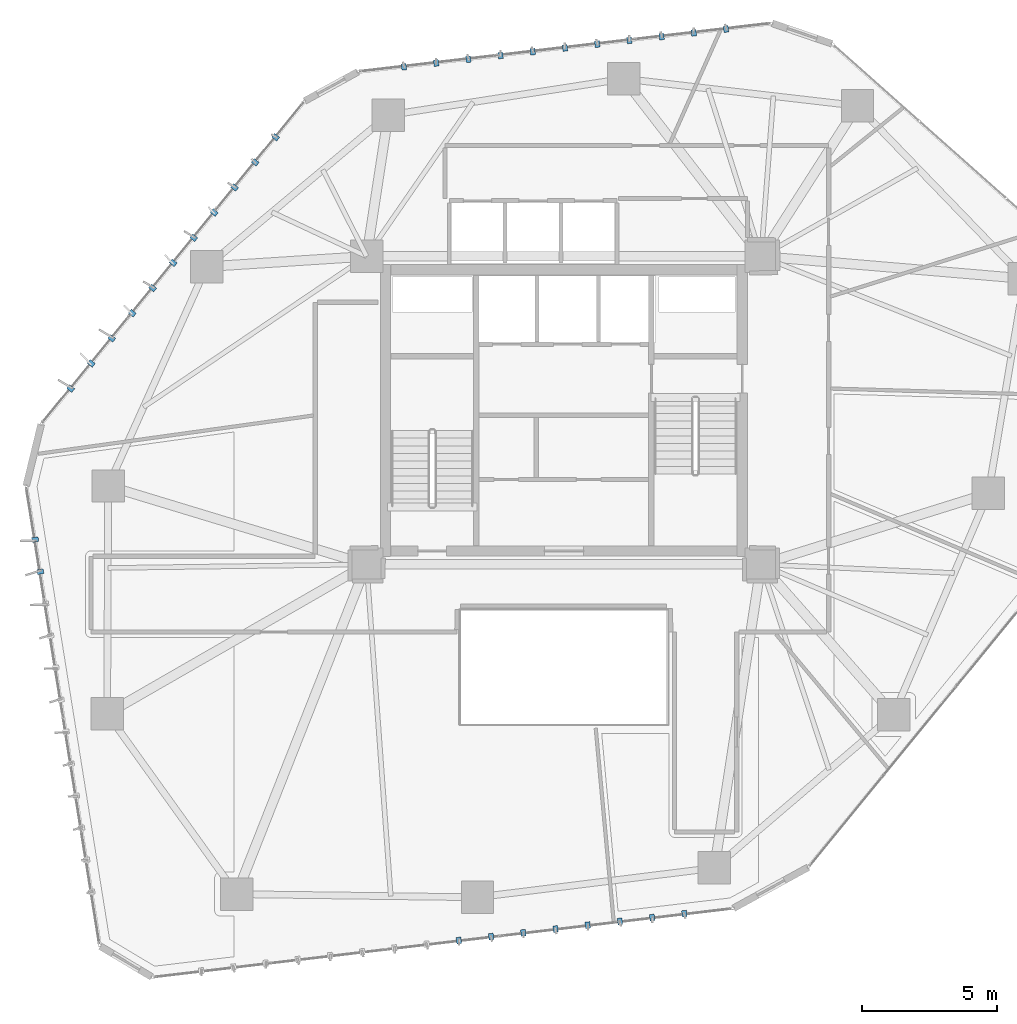
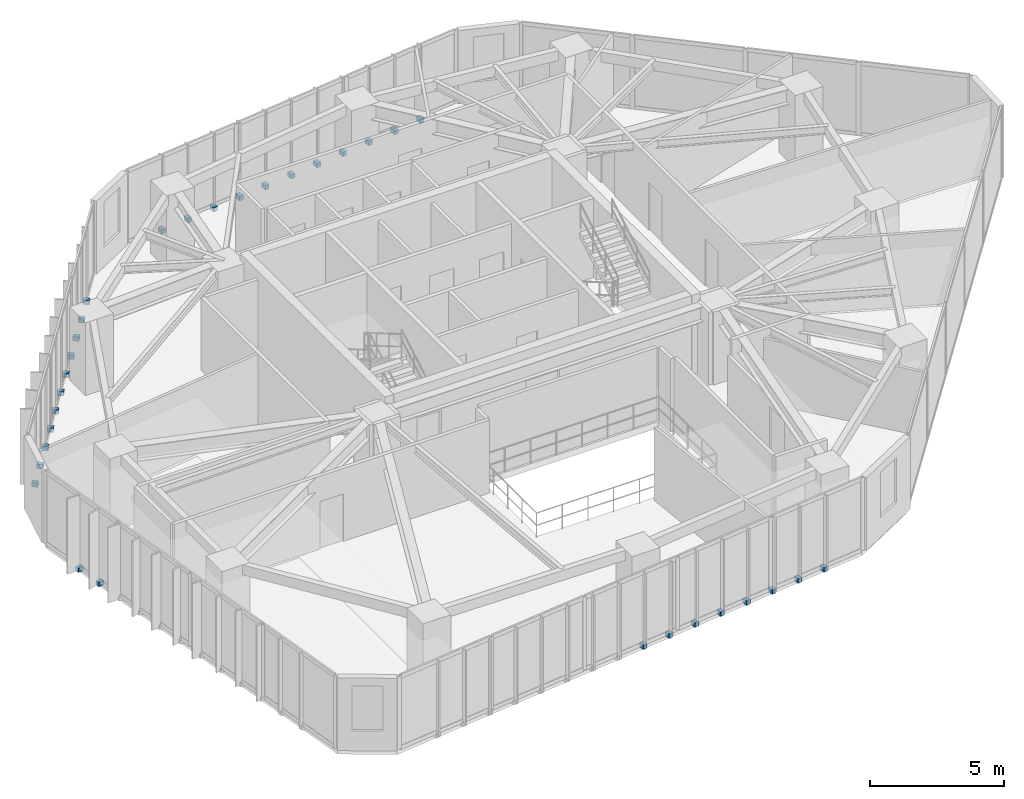
# One storey, part 21 of 24: 32 discrete accessories.
"""IFC4 building model written with IfcOpenShell, lengths in metres."""

import ifcopenshell
import ifcopenshell.guid

model = None  # the IFC model being written
_history = None  # IfcOwnerHistory: only IFC2X3 demands one
_inside = {}  # id of a spatial element -> (the spatial element, [elements in it])
_under = {}  # id of a project, library or spatial element -> (it, [spatial elements below it])
_declared = {}  # id of a project -> (the project, [libraries it declares])
_typed = {}  # id of a type object -> (the type object, [elements of that type])
_made_of = {}  # id of a material, layer set ... -> (it, [elements and type objects made of it])


def new_model(schema):
    """Start an empty IFC model of exactly this schema.

    Asked for "IFC4X3", IfcOpenShell would pick the latest addendum, in which some entities
    have other attributes; the version numbers below select the first issue.
    IFC2X3 requires an IfcOwnerHistory on every rooted entity: one is made here for all.
    """
    global model, _history
    if schema == "IFC4X3":
        model = ifcopenshell.file(schema_version=(4, 3, 0, 0))
    else:
        model = ifcopenshell.file(schema=schema)
    _inside.clear()
    _under.clear()
    _declared.clear()
    _typed.clear()
    _made_of.clear()
    _history = None
    if model.schema == "IFC2X3":
        org = make("IfcOrganization", Name="unknown")
        user = make(
            "IfcPersonAndOrganization",
            ThePerson=make("IfcPerson", FamilyName="unknown"),
            TheOrganization=org,
        )
        app = make(
            "IfcApplication",
            ApplicationDeveloper=org,
            Version="unknown",
            ApplicationFullName="unknown",
            ApplicationIdentifier="unknown",
        )
        _history = make(
            "IfcOwnerHistory",
            OwningUser=user,
            OwningApplication=app,
            ChangeAction="ADDED",
            CreationDate=0,
        )
    return model


def make(cls, **values):
    """One entity of the class cls with the attributes given. An attribute that is None is left unset."""
    return model.create_entity(
        cls, **{name: value for name, value in values.items() if value is not None}
    )


def rooted(cls, **values):
    """An entity with a GlobalId (a new one), such as an element, a storey or a relation."""
    return make(cls, GlobalId=ifcopenshell.guid.new(), OwnerHistory=_history, **values)


def si_unit(unit_type, name, prefix=None):
    """IfcSIUnit, for example si_unit("LENGTHUNIT", "METRE", prefix="MILLI")."""
    return make("IfcSIUnit", UnitType=unit_type, Prefix=prefix, Name=name)


def assignment(units):
    """IfcUnitAssignment: the units of a project."""
    return None if units is None else make("IfcUnitAssignment", Units=units)


def point(xyz):
    """IfcCartesianPoint."""
    return None if xyz is None else make("IfcCartesianPoint", Coordinates=xyz)


def direction(xyz):
    """IfcDirection."""
    return None if xyz is None else make("IfcDirection", DirectionRatios=xyz)


def frame(location, z_axis=None, x_axis=None):
    """IfcAxis2Placement3D, a coordinate frame: its origin and axes. An axis left out is left unset."""
    return make(
        "IfcAxis2Placement3D",
        Location=point(location),
        Axis=direction(z_axis),
        RefDirection=direction(x_axis),
    )


def frame_2d(location, x_axis=None):
    """IfcAxis2Placement2D, a coordinate frame in the plane: its origin and x axis."""
    return make(
        "IfcAxis2Placement2D", Location=point(location), RefDirection=direction(x_axis)
    )


def origin():
    """The frame at (0, 0, 0) with its axes left unset."""
    return frame((0.0, 0.0, 0.0))


def origin_2d():
    """The frame at (0, 0) in the plane with its x axis left unset."""
    return frame_2d((0.0, 0.0))


def place(relative_to, where):
    """IfcLocalPlacement: puts the frame where relative to a parent placement (None: the world)."""
    return make(
        "IfcLocalPlacement", PlacementRelTo=relative_to, RelativePlacement=where
    )


def context(
    kind, dimensions, precision=None, world=None, true_north=None, identifier=None
):
    """IfcGeometricRepresentationContext, for example the 3D "Model" context."""
    return make(
        "IfcGeometricRepresentationContext",
        ContextIdentifier=identifier,
        ContextType=kind,
        CoordinateSpaceDimension=dimensions,
        Precision=precision,
        WorldCoordinateSystem=world,
        TrueNorth=true_north,
    )


def subcontext(parent, identifier, kind, view, scale=None):
    """IfcGeometricRepresentationSubContext, for example "Body" below "Model"."""
    return make(
        "IfcGeometricRepresentationSubContext",
        ContextIdentifier=identifier,
        ContextType=kind,
        ParentContext=parent,
        TargetScale=scale,
        TargetView=view,
    )


def project(units=None, contexts=None):
    """IfcProject with its units and contexts."""
    return rooted(
        "IfcProject",
        Name="project",
        RepresentationContexts=contexts,
        UnitsInContext=assignment(units),
    )


def spatial(cls, under=None, at=None, **own):
    """A site, building, storey or space (cls), placed at a placement, below another one or the project."""
    s = rooted(cls, ObjectPlacement=at, **own)
    if under is not None:
        _under.setdefault(under.id(), (under, []))[1].append(s)
    return s


def profile(cls, at=None, kind="AREA", **sizes):
    """A parametric profile (cls). Its sizes go by their IFC names, for example OverallWidth=200.0."""
    return make(cls, ProfileType=kind, Position=at, **sizes)


def rectangle(**sizes):
    """IfcRectangleProfileDef."""
    return profile("IfcRectangleProfileDef", **sizes)


def extrude(swept, where, along, depth):
    """IfcExtrudedAreaSolid: the profile swept, set in the frame where, extruded along a direction by depth."""
    return make(
        "IfcExtrudedAreaSolid",
        SweptArea=swept,
        Position=where,
        ExtrudedDirection=direction(along),
        Depth=depth,
    )


def shape(context_of_items, identifier, shape_type, items):
    """IfcShapeRepresentation: the items that make up one representation, for example the "Body"."""
    return make(
        "IfcShapeRepresentation",
        ContextOfItems=context_of_items,
        RepresentationIdentifier=identifier,
        RepresentationType=shape_type,
        Items=items,
    )


def source(mapping_origin, context_of_items, identifier, shape_type, items):
    """IfcRepresentationMap: a shape defined once, which mapped items show again and again."""
    return make(
        "IfcRepresentationMap",
        MappingOrigin=mapping_origin,
        MappedRepresentation=shape(context_of_items, identifier, shape_type, items),
    )


def transform(
    local_origin,
    x_axis=None,
    y_axis=None,
    z_axis=None,
    scale=None,
    scale2=None,
    scale3=None,
    uniform=True,
):
    """IfcCartesianTransformationOperator3D, or its non-uniform kind. x_axis, y_axis, z_axis: its Axis1, 2, 3."""
    if uniform:
        return make(
            "IfcCartesianTransformationOperator3D",
            Axis1=direction(x_axis),
            Axis2=direction(y_axis),
            LocalOrigin=point(local_origin),
            Scale=scale,
            Axis3=direction(z_axis),
        )
    return make(
        "IfcCartesianTransformationOperator3DnonUniform",
        Axis1=direction(x_axis),
        Axis2=direction(y_axis),
        LocalOrigin=point(local_origin),
        Scale=scale,
        Axis3=direction(z_axis),
        Scale2=scale2,
        Scale3=scale3,
    )


def mapped(mapping_source, mapping_target):
    """IfcMappedItem: shows the shape of a source again, moved by a transform."""
    return make(
        "IfcMappedItem", MappingSource=mapping_source, MappingTarget=mapping_target
    )


def material(Name=None, Category=None):
    """IfcMaterial."""
    return make("IfcMaterial", Name=Name, Category=Category)


def made_of(thing, what):
    """Note that an element or type object is made of a material, layer set ...; save() writes the relation."""
    if what is not None:
        _made_of.setdefault(what.id(), (what, []))[1].append(thing)
    return thing


def type_object(cls, material=None, **own):
    """A type object (cls), such as IfcWallType, which elements share."""
    return made_of(rooted(cls, **own), material)


def type_shapes(of_type, sources):
    """Give a type object the sources (RepresentationMaps) that its elements show as mapped items."""
    of_type.RepresentationMaps = sources


def element(
    cls,
    number,
    at=None,
    inside=None,
    cuts=None,
    type_object=None,
    material=None,
    context=None,
    identifier="Body",
    shape_type=None,
    held_by="IfcProductDefinitionShape",
    body=None,
    shapes=None,
    **own,
):
    """One element of the class cls, such as IfcWall. Its Tag is "e" and its number.

    at: its placement. inside: the storey or other place that contains it. cuts: it is an
    opening in that element (IfcRelVoidsElement). A single representation is given by context,
    identifier, shape_type and body (its items); several are given by shapes. held_by: the class
    of the entity that holds the representations. save() writes the other relations.
    """
    e = rooted(cls, Tag="e%d" % number, ObjectPlacement=at, **own)
    if body is not None:
        shapes = [shape(context, identifier, shape_type, body)]
    if shapes is not None:
        e.Representation = make(held_by, Representations=shapes)
    if inside is not None:
        _inside.setdefault(inside.id(), (inside, []))[1].append(e)
    if cuts is not None:
        rooted(
            "IfcRelVoidsElement", RelatingBuildingElement=cuts, RelatedOpeningElement=e
        )
    if type_object is not None:
        _typed.setdefault(type_object.id(), (type_object, []))[1].append(e)
    return made_of(e, material)


def aggregate(whole, parts):
    """IfcRelAggregates: a whole, such as a stair, and the parts it consists of."""
    return rooted("IfcRelAggregates", RelatingObject=whole, RelatedObjects=parts)


def save(model, path):
    """Write the relations noted so far, then the file.

    IfcRelAggregates (storeys below a building ...), IfcRelContainedInSpatialStructure (elements
    in a storey), IfcRelDefinesByType, IfcRelAssociatesMaterial and IfcRelDeclares: one each for
    every whole, place, type object, material and project.
    """
    for whole, parts in _under.values():
        aggregate(whole, parts)
    for where, things in _inside.values():
        rooted(
            "IfcRelContainedInSpatialStructure",
            RelatedElements=things,
            RelatingStructure=where,
        )
    for kind, things in _typed.values():
        rooted("IfcRelDefinesByType", RelatedObjects=things, RelatingType=kind)
    for what, things in _made_of.values():
        rooted("IfcRelAssociatesMaterial", RelatedObjects=things, RelatingMaterial=what)
    for by, libraries in _declared.values():
        rooted("IfcRelDeclares", RelatingContext=by, RelatedDefinitions=libraries)
    model.write(path)


model = new_model("IFC4")

# Units and contexts
model_context = context("Model", 3, precision=1e-05, world=origin(), true_north=direction((0.0, 1.0)))
body_context = subcontext(model_context, "Body", "Model", "MODEL_VIEW")
ifc_project = project(units=[si_unit("LENGTHUNIT", "METRE"), si_unit("AREAUNIT", "SQUARE_METRE"), si_unit("VOLUMEUNIT", "CUBIC_METRE"), si_unit("PLANEANGLEUNIT", "RADIAN"), si_unit("MASSUNIT", "GRAM", prefix="KILO")], contexts=[model_context])

# Site, building, storey
site_placement = place(None, origin())
site = spatial("IfcSite", under=ifc_project, at=site_placement, CompositionType="ELEMENT")
building_placement = place(site_placement, origin())
building = spatial("IfcBuilding", under=site, at=building_placement, Name="Talar Marvaseh", CompositionType="ELEMENT")
storey_placement = place(building_placement, frame((0.0, 0.0, 111.0)))
storey = spatial("IfcBuildingStorey", under=building, at=storey_placement, Name="L28", CompositionType="ELEMENT", Elevation=111.0)

# Discrete accessories
ifc_material = material(Name="Stainless Steel Grade 316", Category="steel")
discrete_accessory_type = type_object("IfcDiscreteAccessoryType", Name="Stainless Slab-Edge Fin Mounting Bracket", PredefinedType="BRACKET", material=ifc_material)
shared_shape = source(origin(), body_context, "Body", "SweptSolid", [
    extrude(rectangle(XDim=0.239990234375, YDim=0.179931640625, at=origin_2d()), origin(), (0.0, 0.0, 1.0), 0.199951171875),
])
type_shapes(discrete_accessory_type, [shared_shape])
for number, where, z_axis, x_axis, name in (
    (1, (6.62744140625, 25.232177734375, -0.18017578125), (0.0, 0.0, 1.0), (-0.987413806751, -0.158158067254, 0.0), "L28 Vertical Fin Slab-Edge Bracket"),
    (2, (6.437744140625, 26.4169921875, -0.18017578125), (0.0, 0.0, 1.0), (-0.987413806751, -0.158158067254, 0.0), "L28 Vertical Fin Slab-Edge Bracket"),
    (3, (7.7529296875, 32.008056640625, -0.18017578125), (0.0, 0.0, 1.0), (-0.775165061333, 0.631758757508, 0.0), "L28 Vertical Fin Slab-Edge Bracket"),
    (4, (8.510986328125, 32.938232421875, -0.18017578125), (0.0, 0.0, 1.0), (-0.775165061333, 0.631758757508, 0.0), "L28 Vertical Fin Slab-Edge Bracket"),
    (5, (9.269287109375, 33.868408203125, -0.18017578125), (0.0, 0.0, 1.0), (-0.775165061333, 0.631758757508, 0.0), "L28 Vertical Fin Slab-Edge Bracket"),
    (6, (10.02734375, 34.798583984375, -0.18017578125), (0.0, 0.0, 1.0), (-0.775165061333, 0.631758757508, 0.0), "L28 Vertical Fin Slab-Edge Bracket"),
    (7, (10.78564453125, 35.728759765625, -0.18017578125), (0.0, 0.0, 1.0), (-0.775165061333, 0.631758757508, 0.0), "L28 Vertical Fin Slab-Edge Bracket"),
    (8, (11.543701171875, 36.658935546875, -0.18017578125), (0.0, 0.0, 1.0), (-0.775165061333, 0.631758757508, 0.0), "L28 Vertical Fin Slab-Edge Bracket"),
    (9, (12.3017578125, 37.589111328125, -0.18017578125), (0.0, 0.0, 1.0), (-0.775165061333, 0.631758757508, 0.0), "L28 Vertical Fin Slab-Edge Bracket"),
    (10, (13.06005859375, 38.519287109375, -0.18017578125), (0.0, 0.0, 1.0), (-0.775165061333, 0.631758757508, 0.0), "L28 Vertical Fin Slab-Edge Bracket"),
    (11, (13.818115234375, 39.449462890625, -0.18017578125), (0.0, 0.0, 1.0), (-0.775165061333, 0.631758757508, 0.0), "L28 Vertical Fin Slab-Edge Bracket"),
    (12, (14.576171875, 40.379638671875, -0.18017578125), (0.0, 0.0, 1.0), (-0.775165061333, 0.631758757508, 0.0), "L28 Vertical Fin Slab-Edge Bracket"),
    (13, (15.33447265625, 41.309814453125, -0.18017578125), (0.0, 0.0, 1.0), (-0.775165061333, 0.631758757508, 0.0), "L28 Vertical Fin Slab-Edge Bracket"),
    (14, (20.08349609375, 43.915283203125, -0.18017578125), (0.0, 0.0, 1.0), (-0.116324048041, 0.9932113148, 0.0), "L28 Vertical Fin Slab-Edge Bracket"),
    (15, (21.275390625, 44.054931640625, -0.18017578125), (0.0, 0.0, 1.0), (-0.116324048041, 0.9932113148, 0.0), "L28 Vertical Fin Slab-Edge Bracket"),
    (16, (22.46728515625, 44.194580078125, -0.18017578125), (0.0, 0.0, 1.0), (-0.116324048041, 0.9932113148, 0.0), "L28 Vertical Fin Slab-Edge Bracket"),
    (17, (23.658935546875, 44.334228515625, -0.18017578125), (0.0, 0.0, 1.0), (-0.116324048041, 0.9932113148, 0.0), "L28 Vertical Fin Slab-Edge Bracket"),
    (18, (24.850830078125, 44.473876953125, -0.18017578125), (0.0, 0.0, 1.0), (-0.116324048041, 0.9932113148, 0.0), "L28 Vertical Fin Slab-Edge Bracket"),
    (19, (26.042724609375, 44.61328125, -0.18017578125), (0.0, 0.0, 1.0), (-0.116324048041, 0.9932113148, 0.0), "L28 Vertical Fin Slab-Edge Bracket"),
    (20, (27.234619140625, 44.753173828125, -0.18017578125), (0.0, 0.0, 1.0), (-0.116324048041, 0.9932113148, 0.0), "L28 Vertical Fin Slab-Edge Bracket"),
    (21, (28.426513671875, 44.892578125, -0.18017578125), (0.0, 0.0, 1.0), (-0.116324048041, 0.9932113148, 0.0), "L28 Vertical Fin Slab-Edge Bracket"),
    (22, (29.618408203125, 45.0322265625, -0.18017578125), (0.0, 0.0, 1.0), (-0.116324048041, 0.9932113148, 0.0), "L28 Vertical Fin Slab-Edge Bracket"),
    (23, (30.81005859375, 45.172119140625, -0.18017578125), (0.0, 0.0, 1.0), (-0.116324048041, 0.9932113148, 0.0), "L28 Vertical Fin Slab-Edge Bracket"),
    (24, (32.001953125, 45.3115234375, -0.18017578125), (0.0, 0.0, 1.0), (-0.116324048041, 0.9932113148, 0.0), "L28 Vertical Fin Slab-Edge Bracket"),
    (25, (30.458984375, 12.574462890625, -0.18017578125), (0.0, 0.0, 1.0), (0.117710718809, -0.993047927684, 0.0), "L28 Vertical Fin Slab-Edge Bracket"),
    (26, (29.26708984375, 12.43310546875, -0.18017578125), (0.0, 0.0, 1.0), (0.117710718809, -0.993047927684, 0.0), "L28 Vertical Fin Slab-Edge Bracket"),
    (27, (28.075439453125, 12.2919921875, -0.18017578125), (0.0, 0.0, 1.0), (0.117710718809, -0.993047927684, 0.0), "L28 Vertical Fin Slab-Edge Bracket"),
    (28, (26.8837890625, 12.150634765625, -0.18017578125), (0.0, 0.0, 1.0), (0.117710718809, -0.993047927684, 0.0), "L28 Vertical Fin Slab-Edge Bracket"),
    (29, (25.692138671875, 12.009521484375, -0.18017578125), (0.0, 0.0, 1.0), (0.117710718809, -0.993047927684, 0.0), "L28 Vertical Fin Slab-Edge Bracket"),
    (30, (24.50048828125, 11.868408203125, -0.18017578125), (0.0, 0.0, 1.0), (0.117710718809, -0.993047927684, 0.0), "L28 Vertical Fin Slab-Edge Bracket"),
    (31, (23.308837890625, 11.72705078125, -0.18017578125), (0.0, 0.0, 1.0), (0.117710718809, -0.993047927684, 0.0), "L28 Vertical Fin Slab-Edge Bracket"),
    (32, (22.1171875, 11.585693359375, -0.18017578125), (0.0, 0.0, 1.0), (0.117710718809, -0.993047927684, 0.0), "L28 Vertical Fin Slab-Edge Bracket"),
):
    element("IfcDiscreteAccessory", number, at=place(storey_placement, frame(where, z_axis=z_axis, x_axis=x_axis)), inside=storey, type_object=discrete_accessory_type, Name=name, PredefinedType="BRACKET", context=body_context, shape_type="MappedRepresentation", body=[
        mapped(shared_shape, transform((0.0, 0.0, 0.0), x_axis=(1.0, 0.0, 0.0), y_axis=(0.0, 1.0, 0.0), z_axis=(0.0, 0.0, 1.0), scale=1.0)),
    ])

save(model, "model.ifc")
